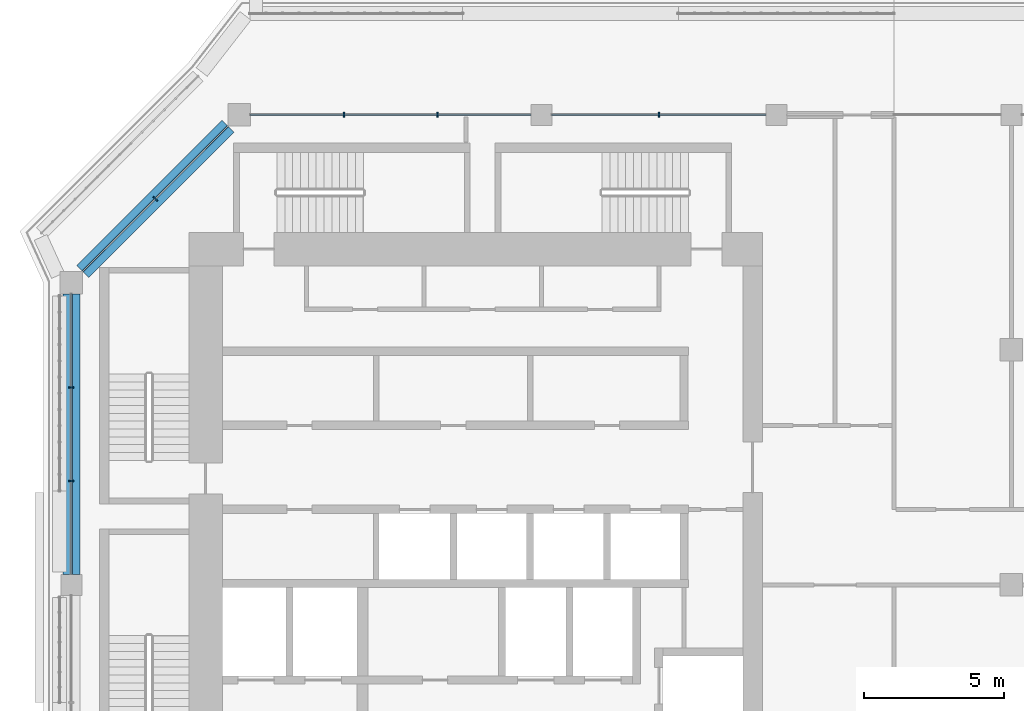
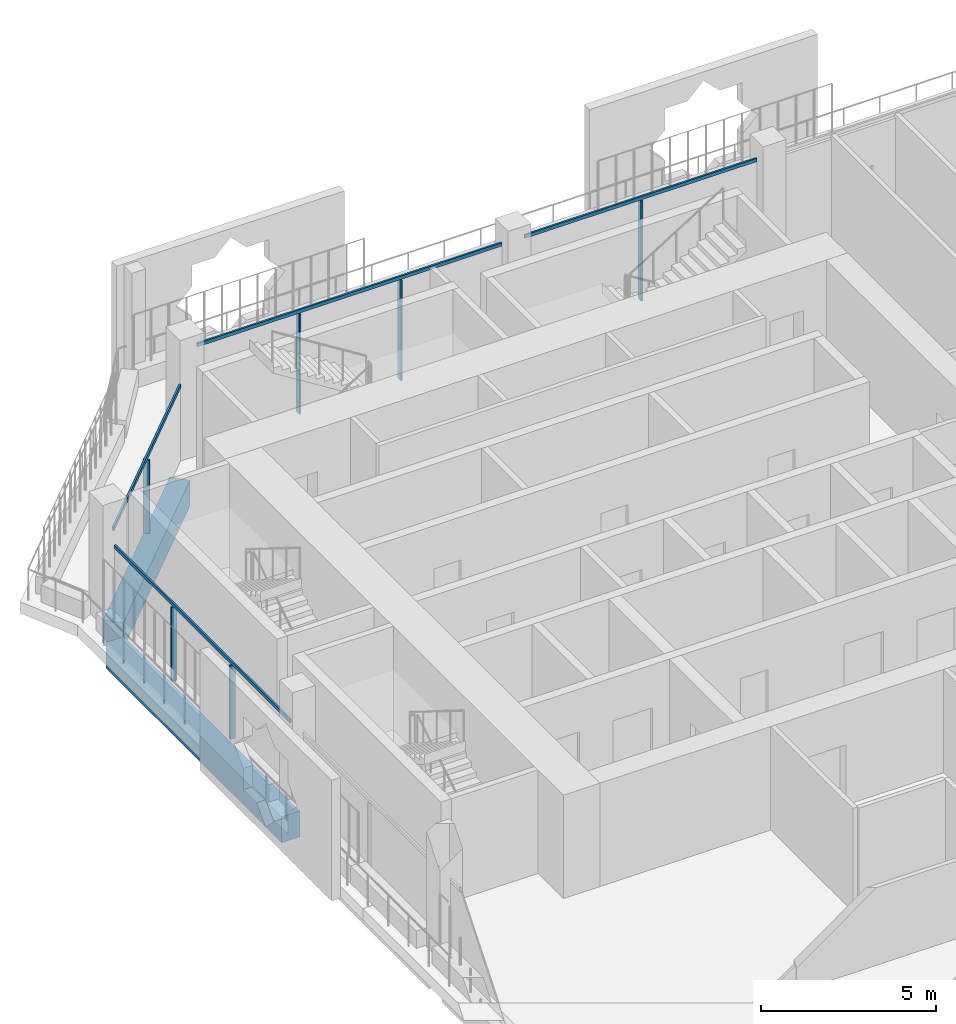
# One storey, part 6 of 22: 10 members, 2 beams, 3 elements without a shape of their own.
"""IFC4 building model written with IfcOpenShell, lengths in metres."""

from ifc_helpers import new_model, si_unit, direction, frame, origin, origin_2d, place, context, subcontext, project, spatial, rectangle, extrude, material, layer, layer_set, material_profile, profile_set, type_object, element, aggregate, save


model = new_model("IFC4")

# Units and contexts
model_context = context("Model", 3, precision=1e-05, world=origin(), true_north=direction((0.0, 1.0)))
body_context = subcontext(model_context, "Body", "Model", "MODEL_VIEW")
ifc_project = project(units=[si_unit("LENGTHUNIT", "METRE"), si_unit("AREAUNIT", "SQUARE_METRE"), si_unit("VOLUMEUNIT", "CUBIC_METRE"), si_unit("PLANEANGLEUNIT", "RADIAN"), si_unit("MASSUNIT", "GRAM", prefix="KILO")], contexts=[model_context])

# Site, building, storey
site_placement = place(None, origin())
site = spatial("IfcSite", under=ifc_project, at=site_placement, CompositionType="ELEMENT")
building_placement = place(site_placement, origin())
building = spatial("IfcBuilding", under=site, at=building_placement, Name="Kawkab Arch Medical Tower", CompositionType="ELEMENT")
storey_placement = place(building_placement, frame((0.0, 0.0, 294.39990234375)))
storey = spatial("IfcBuildingStorey", under=building, at=storey_placement, Name="L68", CompositionType="ELEMENT", Elevation=294.39990234375)

# Curtain wall, members
ifc_material_1 = material(Name="Bronze anodised aluminium curtain wall frame", Category="aluminium")
ifc_layer_1 = layer(ifc_material_1, 0.159912109375)
ifc_layer_set_1 = layer_set([ifc_layer_1], Name="Bronze anodised aluminium curtain wall frame")
curtain_wall_type_1 = type_object("IfcCurtainWallType", Name="CW1 ward curtain wall", PredefinedType="NOTDEFINED", material=ifc_layer_set_1)
placement = place(storey_placement, origin())
curtain_wall_1 = element("IfcCurtainWall", 1, at=placement, inside=storey, type_object=curtain_wall_type_1, Name="CW1 Ward curtain wall R02", PredefinedType="NOTDEFINED")
ifc_material_2 = material(Name="Bronze anodised aluminium curtain wall frame", Category="aluminium")
ifc_material_profile_1 = material_profile(ifc_material_2, rectangle(XDim=0.179931640625, YDim=0.06005859375, at=origin_2d()), Name="AL 60x180")
ifc_profile_set_1 = profile_set([ifc_material_profile_1], Name="Bronze anodised aluminium curtain wall frame")
member_type_1 = type_object("IfcMemberType", Name="CW1 mullion 60 x 180", PredefinedType="MULLION", material=ifc_profile_set_1)
member_1_placement = place(storey_placement, frame((0.0, -9.74169921875, 0.0), z_axis=(0.0, 0.0, 1.0), x_axis=(1.0, 0.0, 0.0)))
member_1 = element("IfcMember", 2, at=member_1_placement, type_object=member_type_1, Name="CW1 mullion 1.1", PredefinedType="MULLION", context=body_context, shape_type="SweptSolid", body=[
    extrude(rectangle(XDim=0.179931640625, YDim=0.06005859375, at=origin_2d()), origin(), (0.0, 0.0, 1.0), 2.580078125),
])
member_2_placement = place(storey_placement, frame((0.0, -13.083251953125, 0.0), z_axis=(0.0, 0.0, 1.0), x_axis=(1.0, 0.0, 0.0)))
member_2 = element("IfcMember", 3, at=member_2_placement, type_object=member_type_1, Name="CW1 mullion 1.2", PredefinedType="MULLION", context=body_context, shape_type="SweptSolid", body=[
    extrude(rectangle(XDim=0.179931640625, YDim=0.06005859375, at=origin_2d()), origin(), (0.0, 0.0, 1.0), 2.580078125),
])

curtain_wall_2 = element("IfcCurtainWall", 4, at=placement, inside=storey, type_object=curtain_wall_type_1, Name="CW1 Ward curtain wall R15", PredefinedType="NOTDEFINED")
member_3_placement = place(storey_placement, frame((21.0, 0.0, 0.0), z_axis=(0.0, 0.0, 1.0), x_axis=(0.0, -1.0, 0.0)))
member_3 = element("IfcMember", 5, at=member_3_placement, type_object=member_type_1, Name="CW1 mullion 4.1", PredefinedType="MULLION", context=body_context, shape_type="SweptSolid", body=[
    extrude(rectangle(XDim=0.179931640625, YDim=0.06005859375, at=origin_2d()), origin(), (0.0, 0.0, 1.0), 3.47998046875),
])
member_4_placement = place(storey_placement, frame((13.083251953125, 0.0, 0.0), z_axis=(0.0, 0.0, 1.0), x_axis=(0.0, -1.0, 0.0)))
member_4 = element("IfcMember", 6, at=member_4_placement, type_object=member_type_1, Name="CW1 mullion 5.1", PredefinedType="MULLION", context=body_context, shape_type="SweptSolid", body=[
    extrude(rectangle(XDim=0.179931640625, YDim=0.06005859375, at=origin_2d()), origin(), (0.0, 0.0, 1.0), 3.47998046875),
])
member_5_placement = place(storey_placement, frame((9.74169921875, 0.0, 0.0), z_axis=(0.0, 0.0, 1.0), x_axis=(0.0, -1.0, 0.0)))
member_5 = element("IfcMember", 7, at=member_5_placement, type_object=member_type_1, Name="CW1 mullion 5.2", PredefinedType="MULLION", context=body_context, shape_type="SweptSolid", body=[
    extrude(rectangle(XDim=0.179931640625, YDim=0.06005859375, at=origin_2d()), origin(), (0.0, 0.0, 1.0), 3.47998046875),
])

# Member
ifc_material_3 = material(Name="Bronze anodised aluminium curtain wall frame", Category="aluminium")
ifc_material_profile_2 = material_profile(ifc_material_3, rectangle(XDim=0.06005859375, YDim=0.1201171875, at=origin_2d()), Name="AL 60x120")
ifc_profile_set_2 = profile_set([ifc_material_profile_2], Name="Bronze anodised aluminium curtain wall frame")
member_type_2 = type_object("IfcMemberType", Name="CW1 transom 120 x 60", PredefinedType="USERDEFINED", material=ifc_profile_set_2)
member_6_placement = place(storey_placement, frame((0.0, -6.39990234375, 2.64013671875), z_axis=(0.0, -1.0, 0.0), x_axis=(1.0, 0.0, 0.0)))
member_6 = element("IfcMember", 8, at=member_6_placement, type_object=member_type_2, Name="CW1 transom 1", ObjectType="TRANSOM", PredefinedType="USERDEFINED", context=body_context, shape_type="SweptSolid", body=[
    extrude(rectangle(XDim=0.06005859375, YDim=0.1201171875, at=origin_2d()), origin(), (0.0, 0.0, 1.0), 10.025146484375),
])

aggregate(curtain_wall_1, [member_6, member_1, member_2])

member_7_placement = place(storey_placement, frame((24.824951171875, 0.0, 3.5400390625), z_axis=(-1.0, 0.0, 0.0), x_axis=(0.0, -1.0, 0.0)))
member_7 = element("IfcMember", 9, at=member_7_placement, type_object=member_type_2, Name="CW1 transom 4", ObjectType="TRANSOM", PredefinedType="USERDEFINED", context=body_context, shape_type="SweptSolid", body=[
    extrude(rectangle(XDim=0.06005859375, YDim=0.1201171875, at=origin_2d()), origin(), (0.0, 0.0, 1.0), 7.64990234375),
])

member_8_placement = place(storey_placement, frame((16.425048828125, 0.0, 3.5400390625), z_axis=(-1.0, 0.0, 0.0), x_axis=(0.0, -1.0, 0.0)))
member_8 = element("IfcMember", 10, at=member_8_placement, type_object=member_type_2, Name="CW1 transom 5", ObjectType="TRANSOM", PredefinedType="USERDEFINED", context=body_context, shape_type="SweptSolid", body=[
    extrude(rectangle(XDim=0.06005859375, YDim=0.1201171875, at=origin_2d()), origin(), (0.0, 0.0, 1.0), 10.025146484375),
])

aggregate(curtain_wall_2, [member_7, member_3, member_8, member_4, member_5])

# Curtain wall, members
ifc_material_4 = material(Name="Bronze anodised aluminium curtain wall frame", Category="aluminium")
ifc_layer_2 = layer(ifc_material_4, 0.159912109375)
ifc_layer_set_2 = layer_set([ifc_layer_2], Name="Bronze anodised aluminium curtain wall frame")
curtain_wall_type_2 = type_object("IfcCurtainWallType", Name="CW2 chamfer curtain wall", PredefinedType="NOTDEFINED", material=ifc_layer_set_2)
curtain_wall_3 = element("IfcCurtainWall", 11, at=placement, inside=storey, type_object=curtain_wall_type_2, Name="CW2 Chamfer curtain wall R01", PredefinedType="NOTDEFINED")
ifc_material_5 = material(Name="Bronze anodised aluminium curtain wall frame", Category="aluminium")
ifc_material_profile_3 = material_profile(ifc_material_5, rectangle(XDim=0.199951171875, YDim=0.06005859375, at=origin_2d()), Name="AL 60x200")
ifc_profile_set_3 = profile_set([ifc_material_profile_3], Name="Bronze anodised aluminium curtain wall frame")
member_type_3 = type_object("IfcMemberType", Name="CW2 mullion 60 x 200", PredefinedType="MULLION", material=ifc_profile_set_3)
member_9_placement = place(storey_placement, frame((3.0, -3.0, 0.0), z_axis=(0.0, 0.0, 1.0), x_axis=(0.707106781187, -0.707106781187, 0.0)))
member_9 = element("IfcMember", 12, at=member_9_placement, type_object=member_type_3, Name="CW2 mullion 1.1", PredefinedType="MULLION", context=body_context, shape_type="SweptSolid", body=[
    extrude(rectangle(XDim=0.199951171875, YDim=0.06005859375, at=origin_2d()), origin(), (0.0, 0.0, 1.0), 2.56005859375),
])
ifc_material_6 = material(Name="Bronze anodised aluminium curtain wall frame", Category="aluminium")
ifc_material_profile_4 = material_profile(ifc_material_6, rectangle(XDim=0.06005859375, YDim=0.139892578125, at=origin_2d()), Name="AL 60x140")
ifc_profile_set_4 = profile_set([ifc_material_profile_4], Name="Bronze anodised aluminium curtain wall frame")
member_type_4 = type_object("IfcMemberType", Name="CW2 transom 140 x 60", PredefinedType="USERDEFINED", material=ifc_profile_set_4)
member_10_placement = place(storey_placement, frame((5.60009765625, -0.39990234375, 2.630126953125), z_axis=(-0.707106781187, -0.707106781187, 0.0), x_axis=(0.707106781187, -0.707106781187, 0.0)))
member_10 = element("IfcMember", 13, at=member_10_placement, type_object=member_type_4, Name="CW2 transom 1", ObjectType="TRANSOM", PredefinedType="USERDEFINED", context=body_context, shape_type="SweptSolid", body=[
    extrude(rectangle(XDim=0.06005859375, YDim=0.139892578125, at=origin_2d()), origin(), (0.0, 0.0, 1.0), 7.354248046875),
])
aggregate(curtain_wall_3, [member_10, member_9])

# Beams
ifc_material_7 = material(Name="Concrete C40/50", Category="concrete")
ifc_material_profile_5 = material_profile(ifc_material_7, rectangle(XDim=0.60009765625, YDim=0.89990234375, at=origin_2d()), Name="RC 600x900")
ifc_profile_set_5 = profile_set([ifc_material_profile_5], Name="Concrete C40/50")
beam_type = type_object("IfcBeamType", Name="RC 600x900 beam C40/50", PredefinedType="BEAM", material=ifc_profile_set_5)
beam_1_placement = place(storey_placement, frame((0.39990234375, -5.60009765625, -1.0498046875), z_axis=(0.707106781187, 0.707106781187, 0.0), x_axis=(-0.707106781187, 0.707106781187, 0.0)))
element("IfcBeam", 14, at=beam_1_placement, inside=storey, type_object=beam_type, Name="Overhang edge beam L68-01", PredefinedType="BEAM", context=body_context, shape_type="SweptSolid", body=[
    extrude(rectangle(XDim=0.60009765625, YDim=0.89990234375, at=origin_2d()), origin(), (0.0, 0.0, 1.0), 7.354248046875),
])
beam_2_placement = place(storey_placement, frame((0.0, -16.425048828125, -1.0498046875), z_axis=(0.0, 1.0, 0.0), x_axis=(-1.0, 0.0, 0.0)))
element("IfcBeam", 15, at=beam_2_placement, inside=storey, type_object=beam_type, Name="Overhang edge beam L68-05", PredefinedType="BEAM", context=body_context, shape_type="SweptSolid", body=[
    extrude(rectangle(XDim=0.60009765625, YDim=0.89990234375, at=origin_2d()), origin(), (0.0, 0.0, 1.0), 10.025146484375),
])

save(model, "model.ifc")
